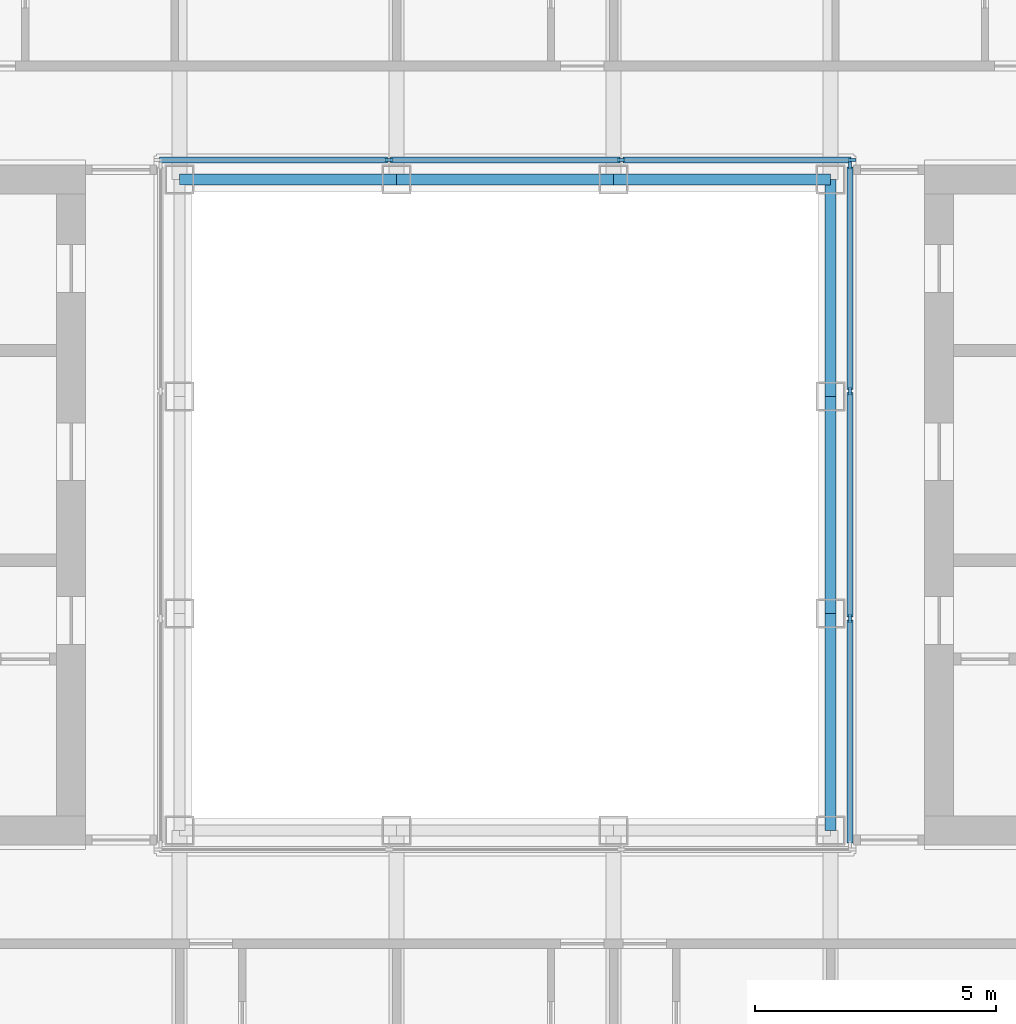
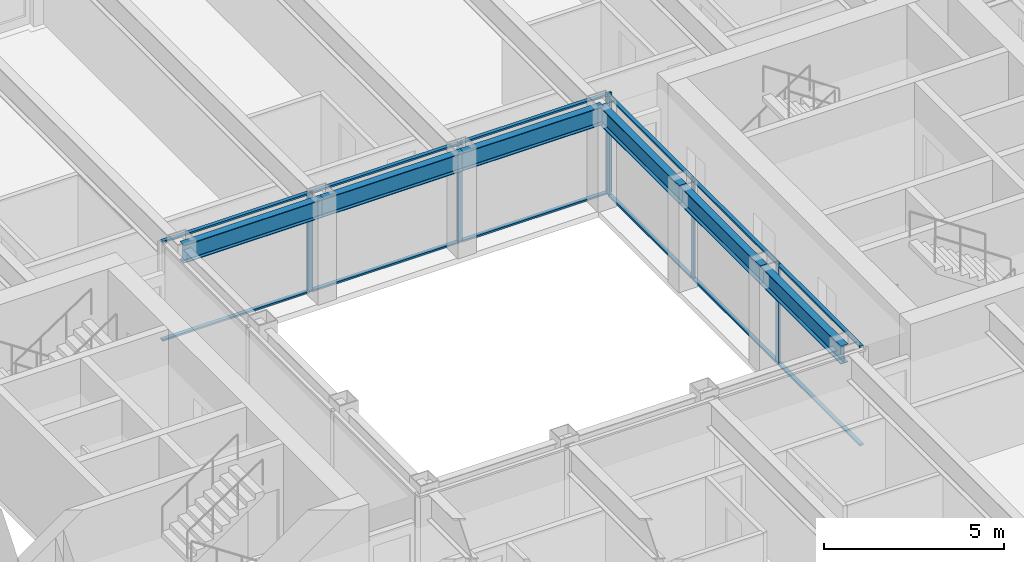
# One storey, part 5 of 17: 18 members, 6 beams, 2 elements without a shape of their own.
"""IFC4 building model written with IfcOpenShell, lengths in metres."""

from ifc_helpers import new_model, si_unit, direction, frame, origin, origin_2d, place, context, subcontext, project, spatial, rectangle, i_section, extrude, material, material_profile, profile_set, type_object, element, aggregate, save


model = new_model("IFC4")

# Units and contexts
model_context = context("Model", 3, precision=1e-05, world=origin(), true_north=direction((0.0, 1.0)))
body_context = subcontext(model_context, "Body", "Model", "MODEL_VIEW")
ifc_project = project(units=[si_unit("LENGTHUNIT", "METRE"), si_unit("AREAUNIT", "SQUARE_METRE"), si_unit("VOLUMEUNIT", "CUBIC_METRE"), si_unit("PLANEANGLEUNIT", "RADIAN"), si_unit("MASSUNIT", "GRAM", prefix="KILO")], contexts=[model_context])

# Site, building, storey
site_placement = place(None, origin())
site = spatial("IfcSite", under=ifc_project, at=site_placement, CompositionType="ELEMENT")
building_placement = place(site_placement, origin())
building = spatial("IfcBuilding", under=site, at=building_placement, Name="Msasa Ring Tower", CompositionType="ELEMENT")
storey_placement = place(building_placement, frame((0.0, 0.0, 154.39990234375)))
storey = spatial("IfcBuildingStorey", under=building, at=storey_placement, Name="L40", CompositionType="ELEMENT", Elevation=154.39990234375)

# Curtain wall, members
ifc_material_1 = material(Name="Aluminium curtain wall with clear glass", Category="aluminium")
curtain_wall_type = type_object("IfcCurtainWallType", Name="CW-W LIGHT WELL CURTAIN WALL", PredefinedType="NOTDEFINED", material=ifc_material_1)
curtain_wall_1_placement = place(storey_placement, origin())
curtain_wall_1 = element("IfcCurtainWall", 1, at=curtain_wall_1_placement, inside=storey, type_object=curtain_wall_type, Name="Light well curtain wall N L40", PredefinedType="NOTDEFINED")
ifc_material_2 = material(Name="Aluminium mullion", Category="aluminium")
ifc_material_profile_1 = material_profile(ifc_material_2, rectangle(XDim=0.06005859375, YDim=0.159912109375, at=origin_2d()), Name="AL 60x160")
ifc_profile_set_1 = profile_set([ifc_material_profile_1], Name="Aluminium mullion")
member_type_1 = type_object("IfcMemberType", Name="CW-W MULLION 60x160", PredefinedType="MULLION", material=ifc_profile_set_1)
member_1_placement = place(storey_placement, frame((-2.409912109375, 7.14990234375, 0.0), z_axis=(0.0, 0.0, 1.0), x_axis=(0.0, 1.0, 0.0)))
member_1 = element("IfcMember", 2, at=member_1_placement, type_object=member_type_1, Name="CW-W mullion 2", PredefinedType="MULLION", context=body_context, shape_type="SweptSolid", body=[
    extrude(rectangle(XDim=0.06005859375, YDim=0.159912109375, at=origin_2d()), origin(), (0.0, 0.0, 1.0), 3.400146484375),
])
member_2_placement = place(storey_placement, frame((2.409912109375, 7.14990234375, 0.0), z_axis=(0.0, 0.0, 1.0), x_axis=(0.0, 1.0, 0.0)))
member_2 = element("IfcMember", 3, at=member_2_placement, type_object=member_type_1, Name="CW-W mullion 3", PredefinedType="MULLION", context=body_context, shape_type="SweptSolid", body=[
    extrude(rectangle(XDim=0.06005859375, YDim=0.159912109375, at=origin_2d()), origin(), (0.0, 0.0, 1.0), 3.400146484375),
])
member_3_placement = place(storey_placement, frame((7.199951171875, 7.14990234375, 0.0), z_axis=(0.0, 0.0, 1.0), x_axis=(0.0, 1.0, 0.0)))
member_3 = element("IfcMember", 4, at=member_3_placement, type_object=member_type_1, Name="CW-W mullion 4", PredefinedType="MULLION", context=body_context, shape_type="SweptSolid", body=[
    extrude(rectangle(XDim=0.06005859375, YDim=0.159912109375, at=origin_2d()), origin(), (0.0, 0.0, 1.0), 3.400146484375),
])

curtain_wall_2_placement = place(storey_placement, origin())
curtain_wall_2 = element("IfcCurtainWall", 5, at=curtain_wall_2_placement, inside=storey, type_object=curtain_wall_type, Name="Light well curtain wall E L40", PredefinedType="NOTDEFINED")
member_4_placement = place(storey_placement, frame((7.14990234375, -2.356689453125, 0.0), z_axis=(0.0, 0.0, 1.0), x_axis=(-1.0, 0.0, 0.0)))
member_4 = element("IfcMember", 6, at=member_4_placement, type_object=member_type_1, Name="CW-W mullion 2", PredefinedType="MULLION", context=body_context, shape_type="SweptSolid", body=[
    extrude(rectangle(XDim=0.06005859375, YDim=0.159912109375, at=origin_2d()), origin(), (0.0, 0.0, 1.0), 3.400146484375),
])
member_5_placement = place(storey_placement, frame((7.14990234375, 2.356689453125, 0.0), z_axis=(0.0, 0.0, 1.0), x_axis=(-1.0, 0.0, 0.0)))
member_5 = element("IfcMember", 7, at=member_5_placement, type_object=member_type_1, Name="CW-W mullion 3", PredefinedType="MULLION", context=body_context, shape_type="SweptSolid", body=[
    extrude(rectangle(XDim=0.06005859375, YDim=0.159912109375, at=origin_2d()), origin(), (0.0, 0.0, 1.0), 3.400146484375),
])
member_6_placement = place(storey_placement, frame((7.14990234375, 7.0400390625, 0.0), z_axis=(0.0, 0.0, 1.0), x_axis=(-1.0, 0.0, 0.0)))
member_6 = element("IfcMember", 8, at=member_6_placement, type_object=member_type_1, Name="CW-W mullion 4", PredefinedType="MULLION", context=body_context, shape_type="SweptSolid", body=[
    extrude(rectangle(XDim=0.06005859375, YDim=0.159912109375, at=origin_2d()), origin(), (0.0, 0.0, 1.0), 3.400146484375),
])

# Member
ifc_material_3 = material(Name="Aluminium transom", Category="aluminium")
ifc_material_profile_2 = material_profile(ifc_material_3, rectangle(XDim=0.1201171875, YDim=0.06005859375, at=origin_2d()), Name="AL 60x120")
ifc_profile_set_2 = profile_set([ifc_material_profile_2], Name="Aluminium transom")
member_type_2 = type_object("IfcMemberType", Name="CW-W TRANSOM 60x120", PredefinedType="USERDEFINED", material=ifc_profile_set_2)
member_7_placement = place(storey_placement, frame((-7.169921875, 7.14990234375, 0.030029296875), z_axis=(1.0, 0.0, 0.0), x_axis=(0.0, 1.0, 0.0)))
member_7 = element("IfcMember", 9, at=member_7_placement, type_object=member_type_2, Name="CW-W transom 1.1", ObjectType="TRANSOM", PredefinedType="USERDEFINED", context=body_context, shape_type="SweptSolid", body=[
    extrude(rectangle(XDim=0.1201171875, YDim=0.06005859375, at=origin_2d()), origin(), (0.0, 0.0, 1.0), 4.72998046875),
])

member_8_placement = place(storey_placement, frame((-7.169921875, 7.14990234375, 3.3701171875), z_axis=(1.0, 0.0, 0.0), x_axis=(0.0, 1.0, 0.0)))
member_8 = element("IfcMember", 10, at=member_8_placement, type_object=member_type_2, Name="CW-W transom 1.2", ObjectType="TRANSOM", PredefinedType="USERDEFINED", context=body_context, shape_type="SweptSolid", body=[
    extrude(rectangle(XDim=0.1201171875, YDim=0.06005859375, at=origin_2d()), origin(), (0.0, 0.0, 1.0), 4.72998046875),
])

member_9_placement = place(storey_placement, frame((-2.3798828125, 7.14990234375, 0.030029296875), z_axis=(1.0, 0.0, 0.0), x_axis=(0.0, 1.0, 0.0)))
member_9 = element("IfcMember", 11, at=member_9_placement, type_object=member_type_2, Name="CW-W transom 2.1", ObjectType="TRANSOM", PredefinedType="USERDEFINED", context=body_context, shape_type="SweptSolid", body=[
    extrude(rectangle(XDim=0.1201171875, YDim=0.06005859375, at=origin_2d()), origin(), (0.0, 0.0, 1.0), 4.759765625),
])

member_10_placement = place(storey_placement, frame((-2.3798828125, 7.14990234375, 3.3701171875), z_axis=(1.0, 0.0, 0.0), x_axis=(0.0, 1.0, 0.0)))
member_10 = element("IfcMember", 12, at=member_10_placement, type_object=member_type_2, Name="CW-W transom 2.2", ObjectType="TRANSOM", PredefinedType="USERDEFINED", context=body_context, shape_type="SweptSolid", body=[
    extrude(rectangle(XDim=0.1201171875, YDim=0.06005859375, at=origin_2d()), origin(), (0.0, 0.0, 1.0), 4.759765625),
])

member_11_placement = place(storey_placement, frame((2.43994140625, 7.14990234375, 0.030029296875), z_axis=(1.0, 0.0, 0.0), x_axis=(0.0, 1.0, 0.0)))
member_11 = element("IfcMember", 13, at=member_11_placement, type_object=member_type_2, Name="CW-W transom 3.1", ObjectType="TRANSOM", PredefinedType="USERDEFINED", context=body_context, shape_type="SweptSolid", body=[
    extrude(rectangle(XDim=0.1201171875, YDim=0.06005859375, at=origin_2d()), origin(), (0.0, 0.0, 1.0), 4.72998046875),
])

member_12_placement = place(storey_placement, frame((2.43994140625, 7.14990234375, 3.3701171875), z_axis=(1.0, 0.0, 0.0), x_axis=(0.0, 1.0, 0.0)))
member_12 = element("IfcMember", 14, at=member_12_placement, type_object=member_type_2, Name="CW-W transom 3.2", ObjectType="TRANSOM", PredefinedType="USERDEFINED", context=body_context, shape_type="SweptSolid", body=[
    extrude(rectangle(XDim=0.1201171875, YDim=0.06005859375, at=origin_2d()), origin(), (0.0, 0.0, 1.0), 4.72998046875),
])

aggregate(curtain_wall_1, [member_1, member_2, member_3, member_7, member_8, member_9, member_10, member_11, member_12])

member_13_placement = place(storey_placement, frame((7.14990234375, -7.010009765625, 0.030029296875), z_axis=(0.0, 1.0, 0.0), x_axis=(-1.0, 0.0, 0.0)))
member_13 = element("IfcMember", 15, at=member_13_placement, type_object=member_type_2, Name="CW-W transom 1.1", ObjectType="TRANSOM", PredefinedType="USERDEFINED", context=body_context, shape_type="SweptSolid", body=[
    extrude(rectangle(XDim=0.1201171875, YDim=0.06005859375, at=origin_2d()), origin(), (0.0, 0.0, 1.0), 4.623291015625),
])

member_14_placement = place(storey_placement, frame((7.14990234375, -7.010009765625, 3.3701171875), z_axis=(0.0, 1.0, 0.0), x_axis=(-1.0, 0.0, 0.0)))
member_14 = element("IfcMember", 16, at=member_14_placement, type_object=member_type_2, Name="CW-W transom 1.2", ObjectType="TRANSOM", PredefinedType="USERDEFINED", context=body_context, shape_type="SweptSolid", body=[
    extrude(rectangle(XDim=0.1201171875, YDim=0.06005859375, at=origin_2d()), origin(), (0.0, 0.0, 1.0), 4.623291015625),
])

member_15_placement = place(storey_placement, frame((7.14990234375, -2.32666015625, 0.030029296875), z_axis=(0.0, 1.0, 0.0), x_axis=(-1.0, 0.0, 0.0)))
member_15 = element("IfcMember", 17, at=member_15_placement, type_object=member_type_2, Name="CW-W transom 2.1", ObjectType="TRANSOM", PredefinedType="USERDEFINED", context=body_context, shape_type="SweptSolid", body=[
    extrude(rectangle(XDim=0.1201171875, YDim=0.06005859375, at=origin_2d()), origin(), (0.0, 0.0, 1.0), 4.6533203125),
])

member_16_placement = place(storey_placement, frame((7.14990234375, -2.32666015625, 3.3701171875), z_axis=(0.0, 1.0, 0.0), x_axis=(-1.0, 0.0, 0.0)))
member_16 = element("IfcMember", 18, at=member_16_placement, type_object=member_type_2, Name="CW-W transom 2.2", ObjectType="TRANSOM", PredefinedType="USERDEFINED", context=body_context, shape_type="SweptSolid", body=[
    extrude(rectangle(XDim=0.1201171875, YDim=0.06005859375, at=origin_2d()), origin(), (0.0, 0.0, 1.0), 4.6533203125),
])

member_17_placement = place(storey_placement, frame((7.14990234375, 2.38671875, 0.030029296875), z_axis=(0.0, 1.0, 0.0), x_axis=(-1.0, 0.0, 0.0)))
member_17 = element("IfcMember", 19, at=member_17_placement, type_object=member_type_2, Name="CW-W transom 3.1", ObjectType="TRANSOM", PredefinedType="USERDEFINED", context=body_context, shape_type="SweptSolid", body=[
    extrude(rectangle(XDim=0.1201171875, YDim=0.06005859375, at=origin_2d()), origin(), (0.0, 0.0, 1.0), 4.623291015625),
])

member_18_placement = place(storey_placement, frame((7.14990234375, 2.38671875, 3.3701171875), z_axis=(0.0, 1.0, 0.0), x_axis=(-1.0, 0.0, 0.0)))
member_18 = element("IfcMember", 20, at=member_18_placement, type_object=member_type_2, Name="CW-W transom 3.2", ObjectType="TRANSOM", PredefinedType="USERDEFINED", context=body_context, shape_type="SweptSolid", body=[
    extrude(rectangle(XDim=0.1201171875, YDim=0.06005859375, at=origin_2d()), origin(), (0.0, 0.0, 1.0), 4.623291015625),
])

aggregate(curtain_wall_2, [member_4, member_5, member_6, member_13, member_14, member_15, member_16, member_17, member_18])

# Beams
ifc_material_4 = material(Name="Steel S355", Category="steel")
ifc_material_profile_3 = material_profile(ifc_material_4, i_section(OverallWidth=0.230224609375, OverallDepth=0.6171875, WebThickness=0.01318359375, FlangeThickness=0.022216796875, FilletRadius=0.0126953125, at=origin_2d()), Name="UB 610x229x140")
ifc_profile_set_3 = profile_set([ifc_material_profile_3], Name="Steel S355")
beam_type = type_object("IfcBeamType", Name="RB1 UB 610x229x140", PredefinedType="BEAM", material=ifc_profile_set_3)
for number, where, z_axis, x_axis, name in (
    (21, (6.75, -6.75, 3.091552734375), (0.0, 1.0, 0.0), (-1.0, 0.0, 0.0), "Inner ring beam IR+6.75-6.75 under L41"),
    (22, (6.75, -2.25, 3.091552734375), (0.0, 1.0, 0.0), (-1.0, 0.0, 0.0), "Inner ring beam IR+6.75-2.25 under L41"),
    (23, (6.75, 2.25, 3.091552734375), (0.0, 1.0, 0.0), (-1.0, 0.0, 0.0), "Inner ring beam IR+6.75+2.25 under L41"),
    (24, (6.75, 6.75, 3.091552734375), (-1.0, 0.0, 0.0), (0.0, -1.0, 0.0), "Inner ring beam IR+6.75+6.75 under L41"),
    (25, (2.25, 6.75, 3.091552734375), (-1.0, 0.0, 0.0), (0.0, -1.0, 0.0), "Inner ring beam IR+2.25+6.75 under L41"),
    (26, (-2.25, 6.75, 3.091552734375), (-1.0, 0.0, 0.0), (0.0, -1.0, 0.0), "Inner ring beam IR-2.25+6.75 under L41"),
):
    element("IfcBeam", number, at=place(storey_placement, frame(where, z_axis=z_axis, x_axis=x_axis)), inside=storey, type_object=beam_type, Name=name, PredefinedType="BEAM", context=body_context, shape_type="SweptSolid", body=[
        extrude(i_section(OverallWidth=0.230224609375, OverallDepth=0.6171875, WebThickness=0.01318359375, FlangeThickness=0.022216796875, FilletRadius=0.0126953125, at=origin_2d()), origin(), (0.0, 0.0, 1.0), 4.5),
    ])

save(model, "model.ifc")
